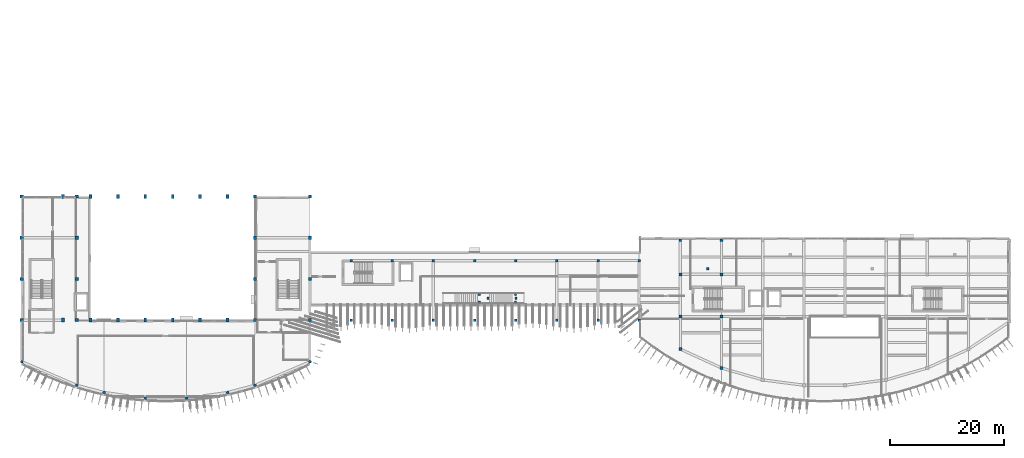
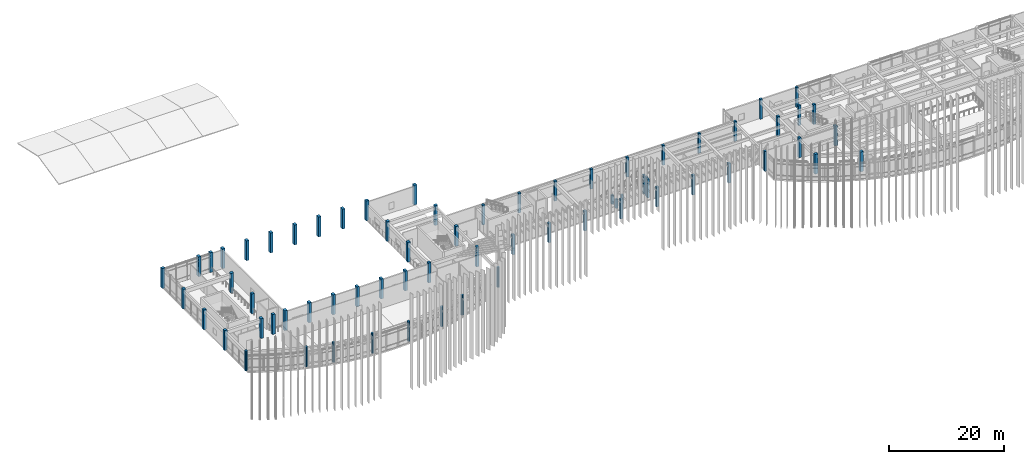
# One storey, part 1 of 47: 69 columns.
"""IFC4 building model written with IfcOpenShell, lengths in metres."""

from ifc_helpers import new_model, si_unit, direction, frame, origin, origin_2d, place, context, subcontext, project, spatial, rectangle, circle, extrude, material, material_profile, profile_set, type_object, element, save


model = new_model("IFC4")

# Units and contexts
model_context = context("Model", 3, precision=1e-05, world=origin(), true_north=direction((0.0, 1.0)))
body_context = subcontext(model_context, "Body", "Model", "MODEL_VIEW")
ifc_project = project(units=[si_unit("LENGTHUNIT", "METRE"), si_unit("AREAUNIT", "SQUARE_METRE"), si_unit("VOLUMEUNIT", "CUBIC_METRE"), si_unit("PLANEANGLEUNIT", "RADIAN"), si_unit("MASSUNIT", "GRAM", prefix="KILO")], contexts=[model_context])

# Site, building, storey
site_placement = place(None, origin())
site = spatial("IfcSite", under=ifc_project, at=site_placement, CompositionType="ELEMENT")
building_placement = place(site_placement, origin())
building = spatial("IfcBuilding", under=site, at=building_placement, Name="Brisavento Harbour Community Centre", CompositionType="ELEMENT")
storey_placement = place(building_placement, frame((0.0, 0.0, 8.699951171875)))
storey = spatial("IfcBuildingStorey", under=building, at=storey_placement, Name="L02", CompositionType="ELEMENT", Elevation=8.699951171875)

# Columns
ifc_material = material(Name="Concrete C35/45", Category="concrete")
ifc_material_profile_1 = material_profile(ifc_material, rectangle(XDim=0.39990234375, YDim=0.39990234375, at=origin_2d()), Name="Concrete C35/45")
ifc_profile_set_1 = profile_set([ifc_material_profile_1], Name="Concrete C35/45")
column_type_1 = type_object("IfcColumnType", Name="COL-RC-400", PredefinedType="COLUMN", material=ifc_profile_set_1)
for number, where, z_axis, x_axis, name in (
    (1, (80.0400390625, 17.510009765625, 0.0), (0.0, 0.0, 1.0), (1.0, 0.0, 0.0), "MST-08 MID support column 1 L02"),
    (2, (80.0400390625, 18.889892578125, 0.0), (0.0, 0.0, 1.0), (1.0, 0.0, 0.0), "MST-08 MID support column 2 L02"),
    (3, (81.550048828125, 18.199951171875, 0.0), (0.0, 0.0, 1.0), (1.0, 0.0, 0.0), "MST-08 MID support column 3 L02"),
):
    element("IfcColumn", number, at=place(storey_placement, frame(where, z_axis=z_axis, x_axis=x_axis)), inside=storey, type_object=column_type_1, Name=name, PredefinedType="COLUMN", context=body_context, shape_type="SweptSolid", body=[
        extrude(rectangle(XDim=0.39990234375, YDim=0.39990234375, at=origin_2d()), origin(), (0.0, 0.0, 1.0), 1.900146484375),
    ])
for number, where, z_axis, x_axis, name in (
    (4, (86.344970703125, 17.510009765625, 0.0), (0.0, 0.0, 1.0), (1.0, 0.0, 0.0), "MST-08 TOP support column 1 L02"),
    (5, (86.344970703125, 18.889892578125, 0.0), (0.0, 0.0, 1.0), (1.0, 0.0, 0.0), "MST-08 TOP support column 2 L02"),
    (6, (86.455078125, 18.199951171875, 0.0), (0.0, 0.0, 1.0), (1.0, 0.0, 0.0), "MST-08 TOP support column 3 L02"),
):
    element("IfcColumn", number, at=place(storey_placement, frame(where, z_axis=z_axis, x_axis=x_axis)), inside=storey, type_object=column_type_1, Name=name, PredefinedType="COLUMN", context=body_context, shape_type="SweptSolid", body=[
        extrude(rectangle(XDim=0.39990234375, YDim=0.39990234375, at=origin_2d()), origin(), (0.0, 0.0, 1.0), 4.0),
    ])
ifc_material_profile_2 = material_profile(ifc_material, rectangle(XDim=0.449951171875, YDim=0.449951171875, at=origin_2d()), Name="Concrete C35/45")
ifc_profile_set_2 = profile_set([ifc_material_profile_2], Name="Concrete C35/45")
column_type_2 = type_object("IfcColumnType", Name="COL-RC-450", PredefinedType="COLUMN", material=ifc_profile_set_2)
for number, where, z_axis, x_axis, name in (
    (7, (57.60009765625, 14.39990234375, 0.0), (0.0, 0.0, 1.0), (1.0, 0.0, 0.0), "L02 column V2S-57"),
    (8, (57.60009765625, 24.800048828125, 0.0), (0.0, 0.0, 1.0), (1.0, 0.0, 0.0), "L02 column V2N-57"),
    (9, (64.800048828125, 14.39990234375, 0.0), (0.0, 0.0, 1.0), (1.0, 0.0, 0.0), "L02 column V2S-64"),
    (10, (64.800048828125, 24.800048828125, 0.0), (0.0, 0.0, 1.0), (1.0, 0.0, 0.0), "L02 column V2N-64"),
    (11, (72.0, 14.39990234375, 0.0), (0.0, 0.0, 1.0), (1.0, 0.0, 0.0), "L02 column V2S-72"),
    (12, (72.0, 24.800048828125, 0.0), (0.0, 0.0, 1.0), (1.0, 0.0, 0.0), "L02 column V2N-72"),
    (13, (79.199951171875, 14.39990234375, 0.0), (0.0, 0.0, 1.0), (1.0, 0.0, 0.0), "L02 column V2S-79"),
    (14, (79.199951171875, 24.800048828125, 0.0), (0.0, 0.0, 1.0), (1.0, 0.0, 0.0), "L02 column V2N-79"),
    (15, (86.39990234375, 14.39990234375, 0.0), (0.0, 0.0, 1.0), (1.0, 0.0, 0.0), "L02 column V2S-86"),
    (16, (86.39990234375, 24.800048828125, 0.0), (0.0, 0.0, 1.0), (1.0, 0.0, 0.0), "L02 column V2N-86"),
    (17, (93.60009765625, 14.39990234375, 0.0), (0.0, 0.0, 1.0), (1.0, 0.0, 0.0), "L02 column V2S-93"),
    (18, (93.60009765625, 24.800048828125, 0.0), (0.0, 0.0, 1.0), (1.0, 0.0, 0.0), "L02 column V2N-93"),
    (19, (100.800048828125, 14.39990234375, 0.0), (0.0, 0.0, 1.0), (1.0, 0.0, 0.0), "L02 column V2S-100"),
    (20, (100.800048828125, 24.800048828125, 0.0), (0.0, 0.0, 1.0), (1.0, 0.0, 0.0), "L02 column V2N-100"),
    (21, (108.0, 14.39990234375, 0.0), (0.0, 0.0, 1.0), (1.0, 0.0, 0.0), "L02 column V2S-108"),
    (22, (108.0, 24.800048828125, 0.0), (0.0, 0.0, 1.0), (1.0, 0.0, 0.0), "L02 column V2N-108"),
    (23, (115.199951171875, 28.39990234375, 0.0), (0.0, 0.0, 1.0), (1.0, 0.0, 0.0), "L02 column V3N2-115"),
    (24, (122.39990234375, 28.39990234375, 0.0), (0.0, 0.0, 1.0), (1.0, 0.0, 0.0), "L02 column V3N2-122"),
    (25, (120.0, 23.39990234375, 0.0), (0.0, 0.0, 1.0), (1.0, 0.0, 0.0), "L02 column V3TER-120"),
):
    element("IfcColumn", number, at=place(storey_placement, frame(where, z_axis=z_axis, x_axis=x_axis)), inside=storey, type_object=column_type_2, Name=name, PredefinedType="COLUMN", context=body_context, shape_type="SweptSolid", body=[
        extrude(rectangle(XDim=0.449951171875, YDim=0.449951171875, at=origin_2d()), origin(), (0.0, 0.0, 1.0), 4.199951171875),
    ])
ifc_material_profile_3 = material_profile(ifc_material, rectangle(XDim=0.5, YDim=0.5, at=origin_2d()), Name="Concrete C35/45")
ifc_profile_set_3 = profile_set([ifc_material_profile_3], Name="Concrete C35/45")
column_type_3 = type_object("IfcColumnType", Name="COL-RC-500", PredefinedType="COLUMN", material=ifc_profile_set_3)
for number, where, z_axis, x_axis, name in (
    (26, (115.199951171875, 15.0, 0.0), (0.0, 0.0, 1.0), (1.0, 0.0, 0.0), "L02 column V3M-115"),
    (27, (115.199951171875, 22.39990234375, 0.0), (0.0, 0.0, 1.0), (1.0, 0.0, 0.0), "L02 column V3N1-115"),
    (28, (122.39990234375, 15.0, 0.0), (0.0, 0.0, 1.0), (1.0, 0.0, 0.0), "L02 column V3M-122"),
    (29, (122.39990234375, 22.39990234375, 0.0), (0.0, 0.0, 1.0), (1.0, 0.0, 0.0), "L02 column V3N1-122"),
):
    element("IfcColumn", number, at=place(storey_placement, frame(where, z_axis=z_axis, x_axis=x_axis)), inside=storey, type_object=column_type_3, Name=name, PredefinedType="COLUMN", context=body_context, shape_type="SweptSolid", body=[
        extrude(rectangle(XDim=0.5, YDim=0.5, at=origin_2d()), origin(), (0.0, 0.0, 1.0), 4.199951171875),
    ])
ifc_material_profile_4 = material_profile(ifc_material, rectangle(XDim=0.550048828125, YDim=0.550048828125, at=origin_2d()), Name="Concrete C35/45")
ifc_profile_set_4 = profile_set([ifc_material_profile_4], Name="Concrete C35/45")
column_type_4 = type_object("IfcColumnType", Name="COL-RC-550", PredefinedType="COLUMN", material=ifc_profile_set_4)
for number, where, z_axis, x_axis, name in (
    (30, (0.0, 14.39990234375, 0.0), (0.0, 0.0, 1.0), (1.0, 0.0, 0.0), "L02 column V1F-0-14"),
    (31, (0.0, 21.60009765625, 0.0), (0.0, 0.0, 1.0), (1.0, 0.0, 0.0), "L02 column V1F-0-22"),
    (32, (0.0, 28.800048828125, 0.0), (0.0, 0.0, 1.0), (1.0, 0.0, 0.0), "L02 column V1F-0-29"),
    (33, (0.0, 36.0, 0.0), (0.0, 0.0, 1.0), (1.0, 0.0, 0.0), "L02 column V1F-0-36"),
    (34, (9.60009765625, 14.39990234375, 0.0), (0.0, 0.0, 1.0), (1.0, 0.0, 0.0), "L02 column V1F-10-14"),
    (35, (9.60009765625, 21.60009765625, 0.0), (0.0, 0.0, 1.0), (1.0, 0.0, 0.0), "L02 column V1F-10-22"),
    (36, (9.60009765625, 28.800048828125, 0.0), (0.0, 0.0, 1.0), (1.0, 0.0, 0.0), "L02 column V1F-10-29"),
    (37, (9.60009765625, 36.0, 0.0), (0.0, 0.0, 1.0), (1.0, 0.0, 0.0), "L02 column V1F-10-36"),
    (38, (40.800048828125, 14.39990234375, 0.0), (0.0, 0.0, 1.0), (1.0, 0.0, 0.0), "L02 column V1F-41-14"),
    (39, (40.800048828125, 21.60009765625, 0.0), (0.0, 0.0, 1.0), (1.0, 0.0, 0.0), "L02 column V1F-41-22"),
    (40, (40.800048828125, 28.800048828125, 0.0), (0.0, 0.0, 1.0), (1.0, 0.0, 0.0), "L02 column V1F-41-29"),
    (41, (40.800048828125, 36.0, 0.0), (0.0, 0.0, 1.0), (1.0, 0.0, 0.0), "L02 column V1F-41-36"),
    (42, (50.39990234375, 14.39990234375, 0.0), (0.0, 0.0, 1.0), (1.0, 0.0, 0.0), "L02 column V1F-50-14"),
    (43, (50.39990234375, 21.60009765625, 0.0), (0.0, 0.0, 1.0), (1.0, 0.0, 0.0), "L02 column V1F-50-22"),
    (44, (50.39990234375, 28.800048828125, 0.0), (0.0, 0.0, 1.0), (1.0, 0.0, 0.0), "L02 column V1F-50-29"),
    (45, (50.39990234375, 36.0, 0.0), (0.0, 0.0, 1.0), (1.0, 0.0, 0.0), "L02 column V1F-50-36"),
    (46, (115.199951171875, 9.31396484375, 0.0), (0.0, 0.0, 1.0), (1.0, 0.0, 0.0), "L02 column V3S-115"),
    (47, (122.39990234375, 6.014892578125, 0.0), (0.0, 0.0, 1.0), (1.0, 0.0, 0.0), "L02 column V3S-122"),
):
    element("IfcColumn", number, at=place(storey_placement, frame(where, z_axis=z_axis, x_axis=x_axis)), inside=storey, type_object=column_type_4, Name=name, PredefinedType="COLUMN", context=body_context, shape_type="SweptSolid", body=[
        extrude(rectangle(XDim=0.550048828125, YDim=0.550048828125, at=origin_2d()), origin(), (0.0, 0.0, 1.0), 4.199951171875),
    ])
ifc_material_profile_5 = material_profile(ifc_material, rectangle(XDim=0.5, YDim=0.699951171875, at=origin_2d()), Name="Concrete C35/45")
ifc_profile_set_5 = profile_set([ifc_material_profile_5], Name="Concrete C35/45")
column_type_5 = type_object("IfcColumnType", Name="COL-RC-700x500", PredefinedType="COLUMN", material=ifc_profile_set_5)
for number, where, z_axis, x_axis, name in (
    (48, (7.199951171875, 14.39990234375, 0.0), (0.0, 0.0, 1.0), (1.0, 0.0, 0.0), "L02 column V1AR-1-14"),
    (49, (7.199951171875, 36.0, 0.0), (0.0, 0.0, 1.0), (1.0, 0.0, 0.0), "L02 column V1AR-1-36"),
    (50, (12.0, 14.39990234375, 0.0), (0.0, 0.0, 1.0), (1.0, 0.0, 0.0), "L02 column V1AR-2-14"),
    (51, (12.0, 36.0, 0.0), (0.0, 0.0, 1.0), (1.0, 0.0, 0.0), "L02 column V1AR-2-36"),
    (52, (16.800048828125, 14.39990234375, 0.0), (0.0, 0.0, 1.0), (1.0, 0.0, 0.0), "L02 column V1AR-3-14"),
    (53, (16.800048828125, 36.0, 0.0), (0.0, 0.0, 1.0), (1.0, 0.0, 0.0), "L02 column V1AR-3-36"),
    (54, (21.60009765625, 14.39990234375, 0.0), (0.0, 0.0, 1.0), (1.0, 0.0, 0.0), "L02 column V1AR-4-14"),
    (55, (21.60009765625, 36.0, 0.0), (0.0, 0.0, 1.0), (1.0, 0.0, 0.0), "L02 column V1AR-4-36"),
    (56, (26.39990234375, 14.39990234375, 0.0), (0.0, 0.0, 1.0), (1.0, 0.0, 0.0), "L02 column V1AR-5-14"),
    (57, (26.39990234375, 36.0, 0.0), (0.0, 0.0, 1.0), (1.0, 0.0, 0.0), "L02 column V1AR-5-36"),
    (58, (31.199951171875, 14.39990234375, 0.0), (0.0, 0.0, 1.0), (1.0, 0.0, 0.0), "L02 column V1AR-6-14"),
    (59, (31.199951171875, 36.0, 0.0), (0.0, 0.0, 1.0), (1.0, 0.0, 0.0), "L02 column V1AR-6-36"),
    (60, (36.0, 14.39990234375, 0.0), (0.0, 0.0, 1.0), (1.0, 0.0, 0.0), "L02 column V1AR-7-14"),
    (61, (36.0, 36.0, 0.0), (0.0, 0.0, 1.0), (1.0, 0.0, 0.0), "L02 column V1AR-7-36"),
):
    element("IfcColumn", number, at=place(storey_placement, frame(where, z_axis=z_axis, x_axis=x_axis)), inside=storey, type_object=column_type_5, Name=name, PredefinedType="COLUMN", context=body_context, shape_type="SweptSolid", body=[
        extrude(rectangle(XDim=0.5, YDim=0.699951171875, at=origin_2d()), origin(), (0.0, 0.0, 1.0), 4.199951171875),
    ])
ifc_material_profile_6 = material_profile(ifc_material, circle(Radius=0.25, at=origin_2d()), Name="Concrete C35/45")
ifc_profile_set_6 = profile_set([ifc_material_profile_6], Name="Concrete C35/45")
column_type_6 = type_object("IfcColumnType", Name="COL-RC-D500", PredefinedType="COLUMN", material=ifc_profile_set_6)
for number, where, z_axis, x_axis, name in (
    (62, (0.0, 7.1142578125, 0.0), (0.0, 0.0, 1.0), (1.0, 0.0, 0.0), "L02 column V1S-1"),
    (63, (9.60009765625, 2.9951171875, 0.0), (0.0, 0.0, 1.0), (1.0, 0.0, 0.0), "L02 column V1S-2"),
    (64, (14.39990234375, 1.73388671875, 0.0), (0.0, 0.0, 1.0), (1.0, 0.0, 0.0), "L02 column V1S-3"),
    (65, (21.60009765625, 0.724853515625, 0.0), (0.0, 0.0, 1.0), (1.0, 0.0, 0.0), "L02 column V1S-4"),
    (66, (28.800048828125, 0.724853515625, 0.0), (0.0, 0.0, 1.0), (1.0, 0.0, 0.0), "L02 column V1S-5"),
    (67, (36.0, 1.73388671875, 0.0), (0.0, 0.0, 1.0), (1.0, 0.0, 0.0), "L02 column V1S-6"),
    (68, (40.800048828125, 2.9951171875, 0.0), (0.0, 0.0, 1.0), (1.0, 0.0, 0.0), "L02 column V1S-7"),
    (69, (50.39990234375, 7.1142578125, 0.0), (0.0, 0.0, 1.0), (1.0, 0.0, 0.0), "L02 column V1S-8"),
):
    element("IfcColumn", number, at=place(storey_placement, frame(where, z_axis=z_axis, x_axis=x_axis)), inside=storey, type_object=column_type_6, Name=name, PredefinedType="COLUMN", context=body_context, shape_type="SweptSolid", body=[
        extrude(circle(Radius=0.25, at=origin_2d()), origin(), (0.0, 0.0, 1.0), 4.199951171875),
    ])

save(model, "model.ifc")
